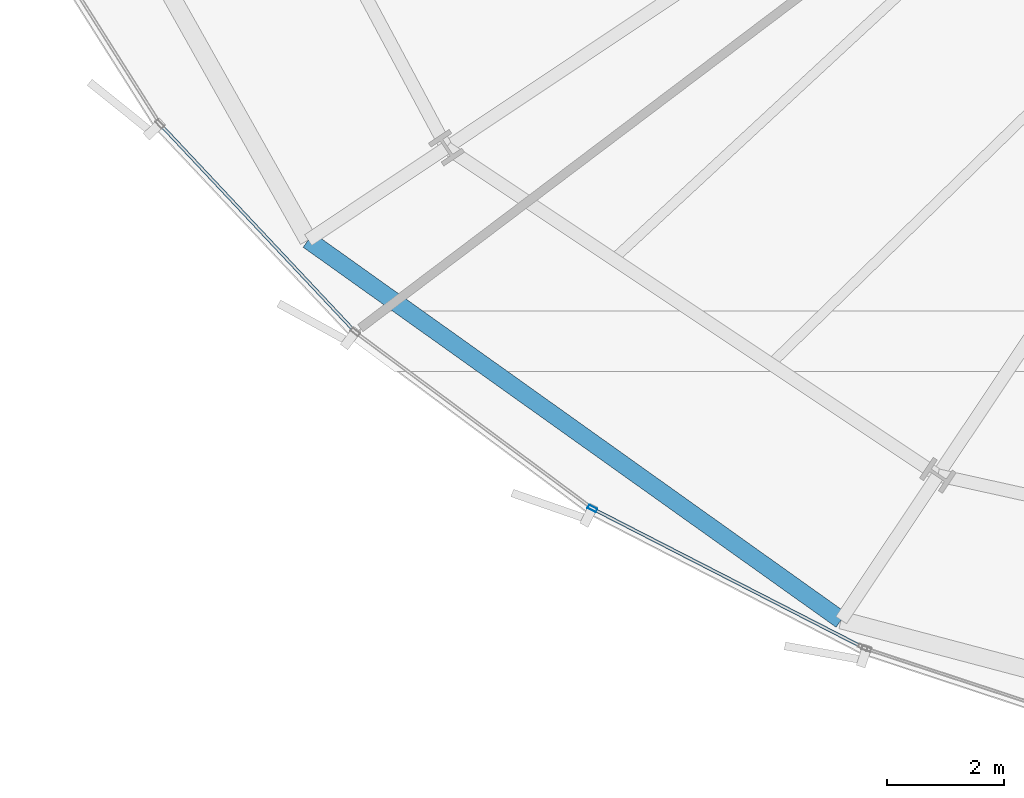
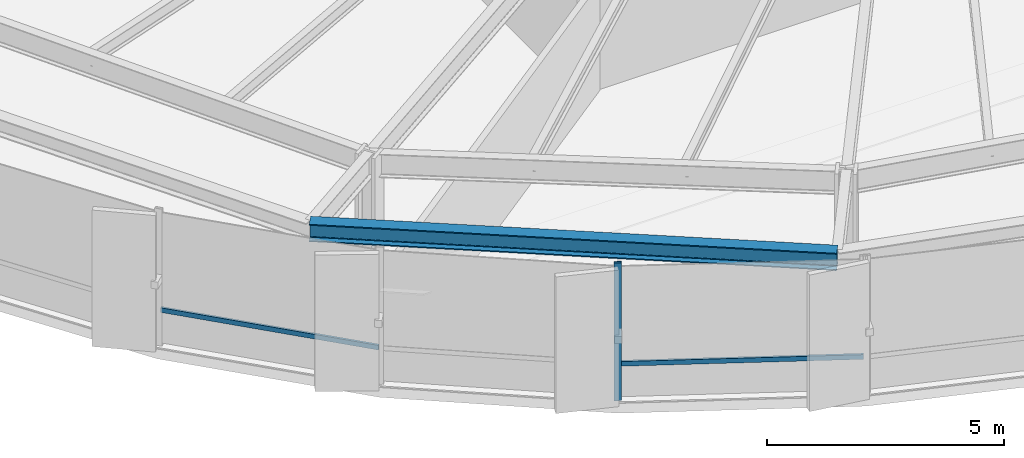
# One storey, part 2 of 39: 3 members, 1 beam, 1 element without a shape of its own.
"""IFC4 building model written with IfcOpenShell, lengths in metres."""

from ifc_helpers import new_model, si_unit, direction, frame, origin, origin_2d, place, context, subcontext, project, spatial, hollow_rectangle, i_section, extrude, source, transform, mapped, material, layer, layer_set, material_profile, profile_set, type_object, element, aggregate, save


model = new_model("IFC4")

# Units and contexts
model_context = context("Model", 3, precision=1e-05, world=origin(), true_north=direction((0.0, 1.0)))
body_context = subcontext(model_context, "Body", "Model", "MODEL_VIEW")
ifc_project = project(units=[si_unit("LENGTHUNIT", "METRE"), si_unit("AREAUNIT", "SQUARE_METRE"), si_unit("VOLUMEUNIT", "CUBIC_METRE"), si_unit("PLANEANGLEUNIT", "RADIAN"), si_unit("MASSUNIT", "GRAM", prefix="KILO"), si_unit("THERMODYNAMICTEMPERATUREUNIT", "KELVIN")], contexts=[model_context])

# Site, building, storey
site_placement = place(None, origin())
site = spatial("IfcSite", under=ifc_project, at=site_placement, CompositionType="ELEMENT")
building_placement = place(site_placement, origin())
building = spatial("IfcBuilding", under=site, at=building_placement, Name="Kethvar Cultural Tower", CompositionType="ELEMENT")
storey_placement = place(building_placement, frame((0.0, 0.0, 41.0)))
storey = spatial("IfcBuildingStorey", under=building, at=storey_placement, Name="L09", CompositionType="ELEMENT", Elevation=41.0)

# Beam
ifc_material_1 = material(Name="Steel S355J2", Category="steel")
ifc_material_profile_1 = material_profile(ifc_material_1, i_section(OverallWidth=0.300048828125, OverallDepth=0.449951171875, WebThickness=0.013916015625, FlangeThickness=0.02587890625, FilletRadius=0.027099609375, at=origin_2d()), Name="Steel S355J2 — HEB450")
ifc_profile_set_1 = profile_set([ifc_material_profile_1], Name="Steel S355J2 — HEB450")
beam_type = type_object("IfcBeamType", Name="BM-SP450", PredefinedType="SPANDREL", material=ifc_profile_set_1)
shared_shape_1 = source(origin(), body_context, "Body", "SweptSolid", [
    extrude(i_section(OverallWidth=0.300048828125, OverallDepth=0.449951171875, WebThickness=0.013916015625, FlangeThickness=0.02587890625, FilletRadius=0.027099609375, at=origin_2d()), origin(), (0.0, 0.0, 1.0), 11.15771484375),
])
beam_placement = place(storey_placement, frame((22.568115234375, 11.60888671875, 3.322998046875), z_axis=(0.814247645284, -0.580517676001, 0.0), x_axis=(0.580517676001, 0.814247645284, 0.0)))
element("IfcBeam", 1, at=beam_placement, inside=storey, type_object=beam_type, Name="L09 Perimeter Spandrel Beam SP-10", PredefinedType="SPANDREL", context=body_context, shape_type="MappedRepresentation", body=[
    mapped(shared_shape_1, transform((0.0, 0.0, 0.0), scale=1.0)),
])

# Curtain wall, members
ifc_material_2 = material(Name="Aluminium 6063-T6", Category="aluminium")
ifc_layer = layer(ifc_material_2, 0.179931640625, Name="Aluminium 6063-T6", Category="aluminium")
ifc_layer_set = layer_set([ifc_layer], Name="Aluminium 6063-T6 (180 mm)")
curtain_wall_type = type_object("IfcCurtainWallType", Name="CW-SYS-02-Z1", PredefinedType="NOTDEFINED", material=ifc_layer_set)
curtain_wall_placement = place(storey_placement, origin())
curtain_wall = element("IfcCurtainWall", 2, at=curtain_wall_placement, inside=storey, type_object=curtain_wall_type, Name="L09 Curtain Wall Run 04", PredefinedType="NOTDEFINED")
ifc_material_profile_2 = material_profile(ifc_material_2, hollow_rectangle(XDim=0.06494140625, YDim=0.159912109375, WallThickness=0.0048828125, at=origin_2d()), Name="Aluminium 6063-T6 — RHS160x65x5")
ifc_profile_set_2 = profile_set([ifc_material_profile_2], Name="Aluminium 6063-T6 — RHS160x65x5")
member_type_1 = type_object("IfcMemberType", Name="CW-SYS-02-Z1-MUL", PredefinedType="MULLION", material=ifc_profile_set_2)
shared_shape_2 = source(origin(), body_context, "Body", "SweptSolid", [
    extrude(hollow_rectangle(XDim=0.06494140625, YDim=0.159912109375, WallThickness=0.0048828125, at=origin_2d()), origin(), (0.0, 0.0, 1.0), 3.550048828125),
])
member_1_placement = place(storey_placement, frame((27.411376953125, 7.032470703125, 0.0), z_axis=(0.0, 0.0, 1.0), x_axis=(0.4564147696, 0.889767137003, 0.0)))
member_1 = element("IfcMember", 3, at=member_1_placement, type_object=member_type_1, Name="CW-L09-R04 Mullion 6", PredefinedType="MULLION", context=body_context, shape_type="MappedRepresentation", body=[
    mapped(shared_shape_2, transform((0.0, 0.0, 0.0), scale=1.0)),
])
ifc_material_profile_3 = material_profile(ifc_material_2, hollow_rectangle(XDim=0.054931640625, YDim=0.1201171875, WallThickness=0.00390625, at=origin_2d()), Name="Aluminium 6063-T6 — RHS120x55x4")
ifc_profile_set_3 = profile_set([ifc_material_profile_3], Name="Aluminium 6063-T6 — RHS120x55x4")
member_type_2 = type_object("IfcMemberType", Name="CW-SYS-02-Z1-TRN", PredefinedType="USERDEFINED", material=ifc_profile_set_3)
shared_shape_3 = source(origin(), body_context, "Body", "SweptSolid", [
    extrude(hollow_rectangle(XDim=0.054931640625, YDim=0.1201171875, WallThickness=0.00390625, at=origin_2d()), origin(), (0.0, 0.0, 1.0), 5.133056640625),
])
member_2_placement = place(storey_placement, frame((27.452880859375, 7.010986328125, 0.949951171875), z_axis=(0.889765957101, -0.456417069778, 0.0), x_axis=(0.456417069778, 0.889765957101, 0.0)))
member_2 = element("IfcMember", 4, at=member_2_placement, type_object=member_type_2, Name="CW-L09-R04 Transom 6", ObjectType="TRANSOM", PredefinedType="USERDEFINED", context=body_context, shape_type="MappedRepresentation", body=[
    mapped(shared_shape_3, transform((0.0, 0.0, 0.0), scale=1.0)),
])
shared_shape_4 = source(origin(), body_context, "Body", "SweptSolid", [
    extrude(hollow_rectangle(XDim=0.054931640625, YDim=0.1201171875, WallThickness=0.00390625, at=origin_2d()), origin(), (0.0, 0.0, 1.0), 4.793212890625),
])
member_3_placement = place(storey_placement, frame((20.071044921875, 13.5556640625, 0.949951171875), z_axis=(0.684550825242, -0.728965134736, 0.0), x_axis=(0.728965134736, 0.684550825242, 0.0)))
member_3 = element("IfcMember", 5, at=member_3_placement, type_object=member_type_2, Name="CW-L09-R04 Transom 4", ObjectType="TRANSOM", PredefinedType="USERDEFINED", context=body_context, shape_type="MappedRepresentation", body=[
    mapped(shared_shape_4, transform((0.0, 0.0, 0.0), scale=1.0)),
])
aggregate(curtain_wall, [member_1, member_3, member_2])

save(model, "model.ifc")
